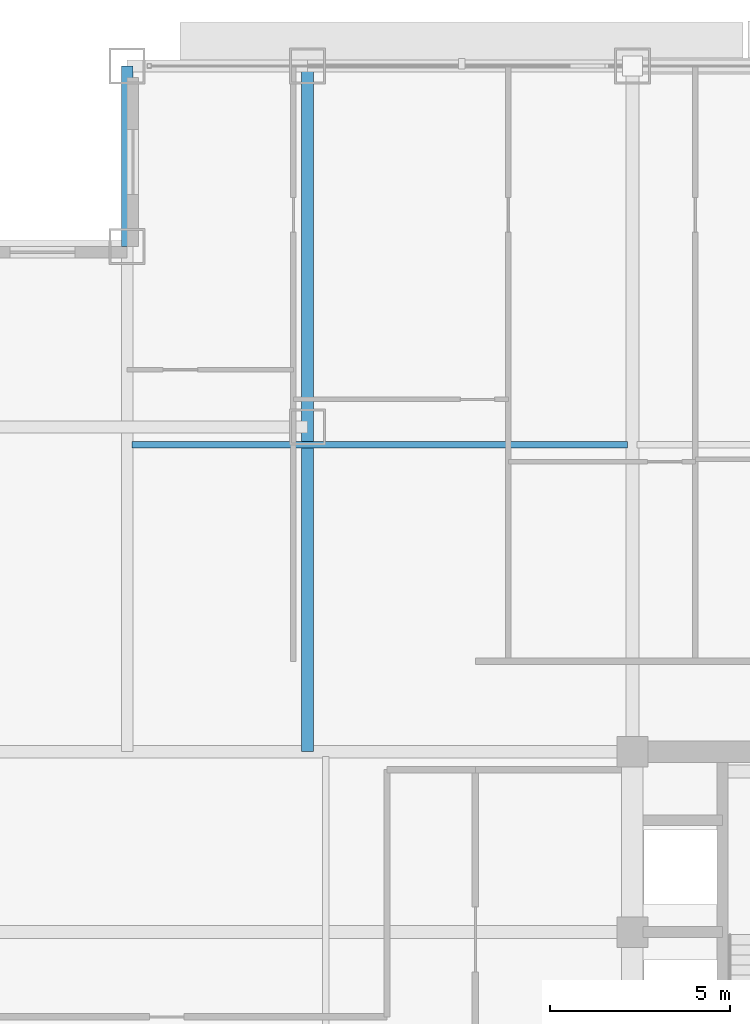
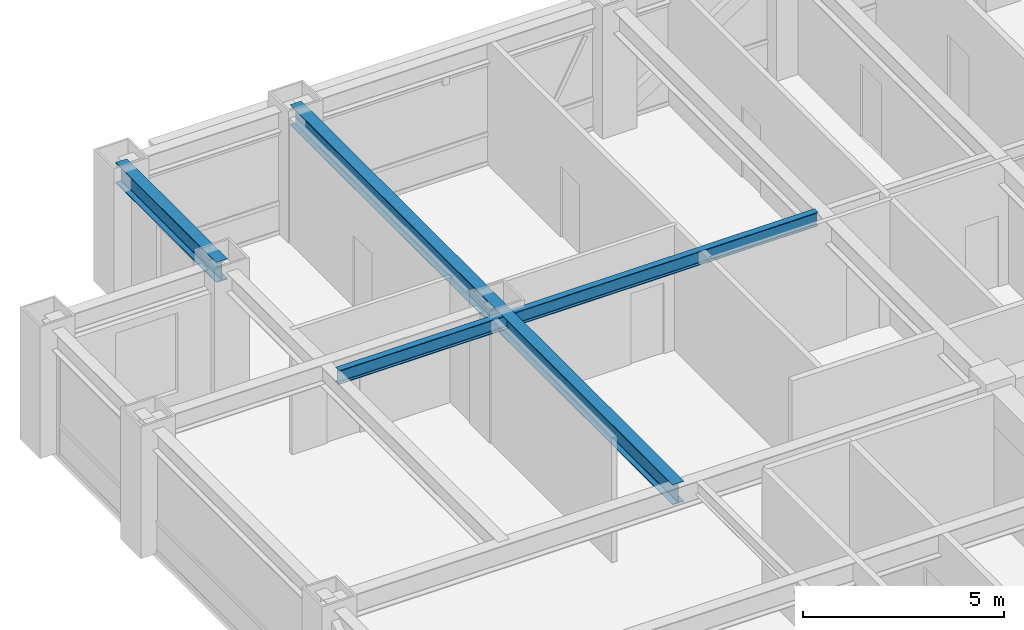
# One storey, part 13 of 29: 3 beams.
"""IFC4 building model written with IfcOpenShell, lengths in metres."""

from ifc_helpers import new_model, si_unit, direction, frame, origin, origin_2d, place, context, subcontext, project, spatial, i_section, extrude, source, transform, mapped, material, material_profile, profile_set, type_object, element, save


model = new_model("IFC4")

# Units and contexts
model_context = context("Model", 3, precision=1e-05, world=origin(), true_north=direction((0.0, 1.0)))
body_context = subcontext(model_context, "Body", "Model", "MODEL_VIEW")
ifc_project = project(units=[si_unit("LENGTHUNIT", "METRE"), si_unit("AREAUNIT", "SQUARE_METRE"), si_unit("VOLUMEUNIT", "CUBIC_METRE"), si_unit("PLANEANGLEUNIT", "RADIAN"), si_unit("MASSUNIT", "GRAM", prefix="KILO")], contexts=[model_context])

# Site, building, storey
site_placement = place(None, origin())
site = spatial("IfcSite", under=ifc_project, at=site_placement, CompositionType="ELEMENT")
building_placement = place(site_placement, origin())
building = spatial("IfcBuilding", under=site, at=building_placement, Name="Khorayat Bourse Tower", CompositionType="ELEMENT")
storey_placement = place(building_placement, frame((0.0, 0.0, 235.10009765625)))
storey = spatial("IfcBuildingStorey", under=building, at=storey_placement, Name="L55", CompositionType="ELEMENT", Elevation=235.10009765625)

# Beams
ifc_material = material(Name="Steel ASTM A992 Grade 50", Category="steel")
ifc_material_profile_1 = material_profile(ifc_material, i_section(OverallWidth=0.324951171875, OverallDepth=0.615966796875, WebThickness=0.013916015625, FlangeThickness=0.021484375, FilletRadius=0.01611328125, at=origin_2d()), Name="W610X174")
ifc_profile_set_1 = profile_set([ifc_material_profile_1], Name="Steel ASTM A992 Grade 50")
beam_type_1 = type_object("IfcBeamType", Name="BM-GIRD-610", PredefinedType="BEAM", material=ifc_profile_set_1)
shared_shape_1 = source(origin(), body_context, "Body", "SweptSolid", [
    extrude(i_section(OverallWidth=0.324951171875, OverallDepth=0.615966796875, WebThickness=0.013916015625, FlangeThickness=0.021484375, FilletRadius=0.01611328125, at=origin_2d()), origin(), (0.0, 0.0, 1.0), 19.0),
])
beam_1_placement = place(storey_placement, frame((-20.0, 11.0, 3.471923828125), z_axis=(0.0, 1.0, 0.0), x_axis=(-1.0, 0.0, 0.0)))
element("IfcBeam", 1, at=beam_1_placement, inside=storey, type_object=beam_type_1, Name="L55 BM-GIRD-610 BM-L55-CNRY-085", PredefinedType="BEAM", context=body_context, shape_type="MappedRepresentation", body=[
    mapped(shared_shape_1, transform((0.0, 0.0, 0.0), scale=1.0)),
])
ifc_material_profile_2 = material_profile(ifc_material, i_section(OverallWidth=0.324951171875, OverallDepth=0.615966796875, WebThickness=0.013916015625, FlangeThickness=0.021484375, FilletRadius=0.01611328125, at=origin_2d()), Name="W610X174")
ifc_profile_set_2 = profile_set([ifc_material_profile_2], Name="Steel ASTM A992 Grade 50")
beam_type_2 = type_object("IfcBeamType", Name="BM-SPAN-610", PredefinedType="SPANDREL", material=ifc_profile_set_2)
shared_shape_2 = source(origin(), body_context, "Body", "SweptSolid", [
    extrude(i_section(OverallWidth=0.324951171875, OverallDepth=0.615966796875, WebThickness=0.013916015625, FlangeThickness=0.021484375, FilletRadius=0.01611328125, at=origin_2d()), origin(), (0.0, 0.0, 1.0), 5.0),
])
beam_2_placement = place(storey_placement, frame((-25.0, 25.0, 3.471923828125), z_axis=(0.0, 1.0, 0.0), x_axis=(-1.0, 0.0, 0.0)))
element("IfcBeam", 2, at=beam_2_placement, inside=storey, type_object=beam_type_2, Name="L55 BM-SPAN-610 BM-L55-SPN-052", PredefinedType="SPANDREL", context=body_context, shape_type="MappedRepresentation", body=[
    mapped(shared_shape_2, transform((0.0, 0.0, 0.0), scale=1.0)),
])
ifc_material_profile_3 = material_profile(ifc_material, i_section(OverallWidth=0.180908203125, OverallDepth=0.4169921875, WebThickness=0.010986328125, FlangeThickness=0.018310546875, FilletRadius=0.011962890625, at=origin_2d()), Name="W410X85")
ifc_profile_set_3 = profile_set([ifc_material_profile_3], Name="Steel ASTM A992 Grade 50")
beam_type_3 = type_object("IfcBeamType", Name="BM-JOIST-410", PredefinedType="JOIST", material=ifc_profile_set_3)
shared_shape_3 = source(origin(), body_context, "Body", "SweptSolid", [
    extrude(i_section(OverallWidth=0.180908203125, OverallDepth=0.4169921875, WebThickness=0.010986328125, FlangeThickness=0.018310546875, FilletRadius=0.011962890625, at=origin_2d()), origin(), (0.0, 0.0, 1.0), 13.740234375),
])
beam_3_placement = place(storey_placement, frame((-24.8701171875, 19.5, 3.5712890625), z_axis=(1.0, 0.0, 0.0), x_axis=(0.0, 1.0, 0.0)))
element("IfcBeam", 3, at=beam_3_placement, inside=storey, type_object=beam_type_3, Name="L55 BM-JOIST-410 BM-L55-JSTX-099", PredefinedType="JOIST", context=body_context, shape_type="MappedRepresentation", body=[
    mapped(shared_shape_3, transform((0.0, 0.0, 0.0), scale=1.0)),
])

save(model, "model.ifc")
